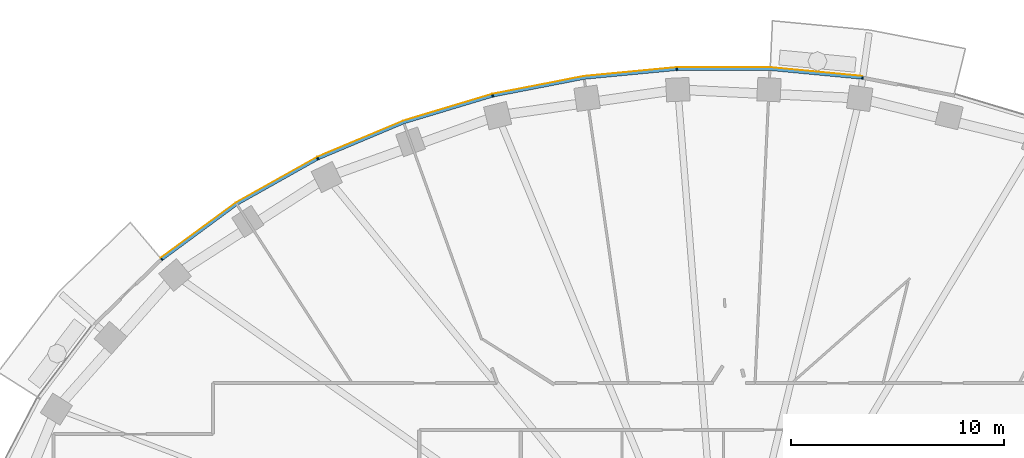
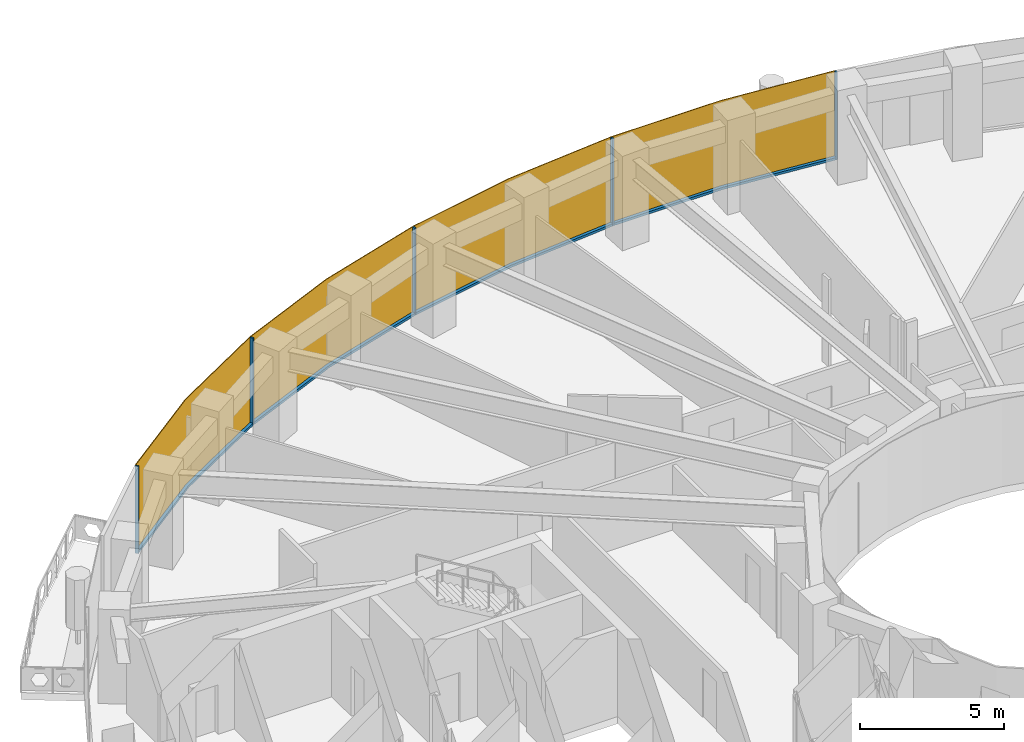
# One storey, part 11 of 16: 9 members, 1 curtain wall.
"""IFC4 building model written with IfcOpenShell, lengths in metres."""

from ifc_helpers import new_model, si_unit, direction, frame, origin, origin_2d, place, context, subcontext, project, spatial, polyline, rectangle, outline, extrude, material, layer, layer_set, material_profile, profile_set, type_object, element, aggregate, save


model = new_model("IFC4")

# Units and contexts
model_context = context("Model", 3, precision=1e-05, world=origin(), true_north=direction((0.0, 1.0)))
body_context = subcontext(model_context, "Body", "Model", "MODEL_VIEW")
ifc_project = project(units=[si_unit("LENGTHUNIT", "METRE"), si_unit("AREAUNIT", "SQUARE_METRE"), si_unit("VOLUMEUNIT", "CUBIC_METRE"), si_unit("PLANEANGLEUNIT", "RADIAN"), si_unit("MASSUNIT", "GRAM", prefix="KILO")], contexts=[model_context])

# Member
ifc_material_1 = material(Name="Aluminium 6063-T6 black anodised", Category="aluminium")
ifc_material_profile = material_profile(ifc_material_1, rectangle(XDim=0.1201171875, YDim=0.06005859375, at=origin_2d()), Name="120x60")
ifc_profile_set = profile_set([ifc_material_profile], Name="Aluminium 6063-T6 black anodised")
member_type_1 = type_object("IfcMemberType", Name="ENV-MULLION-A-120", PredefinedType="MULLION", material=ifc_profile_set)
site_placement = place(None, origin())
building_placement = place(site_placement, origin())
storey_placement = place(building_placement, frame((0.0, 0.0, 237.5)))
member_1_placement = place(storey_placement, frame((6.54638671875, 27.440185546875, 0.0), z_axis=(0.0, 0.0, 1.0), x_axis=(-0.143082012705, -0.989710835366, 0.0)))
member_1 = element("IfcMember", 1, at=member_1_placement, type_object=member_type_1, Name="Mullion A radial 11", PredefinedType="MULLION", context=body_context, shape_type="SweptSolid", body=[
    extrude(rectangle(XDim=0.1201171875, YDim=0.06005859375, at=origin_2d()), origin(), (0.0, 0.0, 1.0), 3.699951171875),
])

member_2_placement = place(storey_placement, frame((-2.188720703125, 27.856201171875, 0.0), z_axis=(0.0, 0.0, 1.0), x_axis=(0.047557873581, -0.998868484166, 0.0)))
member_2 = element("IfcMember", 2, at=member_2_placement, type_object=member_type_1, Name="Mullion A radial 13", PredefinedType="MULLION", context=body_context, shape_type="SweptSolid", body=[
    extrude(rectangle(XDim=0.1201171875, YDim=0.06005859375, at=origin_2d()), origin(), (0.0, 0.0, 1.0), 3.699951171875),
])

member_3_placement = place(storey_placement, frame((-10.84326171875, 26.60498046875, 0.0), z_axis=(0.0, 0.0, 1.0), x_axis=(0.239799081534, -0.970822538106, 0.0)))
member_3 = element("IfcMember", 3, at=member_3_placement, type_object=member_type_1, Name="Mullion A radial 15", PredefinedType="MULLION", context=body_context, shape_type="SweptSolid", body=[
    extrude(rectangle(XDim=0.1201171875, YDim=0.06005859375, at=origin_2d()), origin(), (0.0, 0.0, 1.0), 3.699951171875),
])

member_4_placement = place(storey_placement, frame((-19.06787109375, 23.6474609375, 0.0), z_axis=(0.0, 0.0, 1.0), x_axis=(0.439237769837, -0.898370848563, 0.0)))
member_4 = element("IfcMember", 4, at=member_4_placement, type_object=member_type_1, Name="Mullion A radial 17", PredefinedType="MULLION", context=body_context, shape_type="SweptSolid", body=[
    extrude(rectangle(XDim=0.1201171875, YDim=0.06005859375, at=origin_2d()), origin(), (0.0, 0.0, 1.0), 3.699951171875),
])

member_5_placement = place(storey_placement, frame((-26.403564453125, 18.9130859375, 0.0), z_axis=(0.0, 0.0, 1.0), x_axis=(0.646451313783, -0.762955240435, 0.0)))
member_5 = element("IfcMember", 5, at=member_5_placement, type_object=member_type_1, Name="Mullion A radial 19", PredefinedType="MULLION", context=body_context, shape_type="SweptSolid", body=[
    extrude(rectangle(XDim=0.1201171875, YDim=0.06005859375, at=origin_2d()), origin(), (0.0, 0.0, 1.0), 3.699951171875),
])

ifc_material_2 = material(Name="Aluminium 6063-T6 black anodised", Category="aluminium")
member_type_2 = type_object("IfcMemberType", Name="ENV-TRANSOM-A", PredefinedType="USERDEFINED", material=ifc_material_2)
member_6_placement = place(storey_placement, origin())
member_6 = element("IfcMember", 6, at=member_6_placement, type_object=member_type_2, Name="Transom A radial 11-13", ObjectType="TRANSOM", PredefinedType="USERDEFINED", context=body_context, shape_type="SweptSolid", body=[
    extrude(outline(polyline([(6.527099609375, 27.502197265625), (2.191650390625, 27.916015625), (-2.163818359375, 27.916015625), (-2.157958984375, 27.7958984375), (2.185791015625, 27.7958984375), (6.510009765625, 27.38330078125), (6.527099609375, 27.502197265625)])), origin(), (0.0, 0.0, 1.0), 0.10009765625),
])

member_7_placement = place(storey_placement, origin())
member_7 = element("IfcMember", 7, at=member_7_placement, type_object=member_type_2, Name="Transom A radial 13-15", ObjectType="TRANSOM", PredefinedType="USERDEFINED", context=body_context, shape_type="SweptSolid", body=[
    extrude(outline(polyline([(-2.219482421875, 27.913330078125), (-6.55517578125, 27.49951171875), (-10.830078125, 26.66845703125), (-10.80126953125, 26.552001953125), (-6.537841796875, 27.380615234375), (-2.2138671875, 27.793212890625), (-2.219482421875, 27.913330078125)])), origin(), (0.0, 0.0, 1.0), 0.10009765625),
])

member_8_placement = place(storey_placement, origin())
member_8 = element("IfcMember", 8, at=member_8_placement, type_object=member_type_2, Name="Transom A radial 15-17", ObjectType="TRANSOM", PredefinedType="USERDEFINED", context=body_context, shape_type="SweptSolid", body=[
    extrude(outline(polyline([(-10.884521484375, 26.655029296875), (-15.054443359375, 25.400146484375), (-19.068359375, 23.71240234375), (-19.015380859375, 23.604248046875), (-15.013916015625, 25.287109375), (-10.855712890625, 26.53857421875), (-10.884521484375, 26.655029296875)])), origin(), (0.0, 0.0, 1.0), 0.10009765625),
])

member_9_placement = place(storey_placement, origin())
member_9 = element("IfcMember", 9, at=member_9_placement, type_object=member_type_2, Name="Transom A radial 17-19", ObjectType="TRANSOM", PredefinedType="USERDEFINED", context=body_context, shape_type="SweptSolid", body=[
    extrude(outline(polyline([(-19.11865234375, 23.687744140625), (-22.9150390625, 21.556884765625), (-26.419921875, 18.975341796875), (-26.342041015625, 18.883544921875), (-22.85009765625, 21.455810546875), (-19.06591796875, 23.57958984375), (-19.11865234375, 23.687744140625)])), origin(), (0.0, 0.0, 1.0), 0.10009765625),
])

# Site, building, storey
site = spatial("IfcSite", under=ifc_project, at=site_placement, CompositionType="ELEMENT")
building = spatial("IfcBuilding", under=site, at=building_placement, Name="Noorbagh Ring Tower", CompositionType="ELEMENT")
storey = spatial("IfcBuildingStorey", under=building, at=storey_placement, Name="L49", CompositionType="ELEMENT", Elevation=237.5)

# Curtain wall
ifc_material_3 = material(Name="Glass dark tinted laminated", Category="glass")
ifc_layer = layer(ifc_material_3, 0.031982421875)
ifc_layer_set = layer_set([ifc_layer], Name="Glass dark tinted laminated")
curtain_wall_type = type_object("IfcCurtainWallType", Name="ENV-CW-A", PredefinedType="NOTDEFINED", material=ifc_layer_set)
curtain_wall_placement = place(storey_placement, origin())
curtain_wall = element("IfcCurtainWall", 10, at=curtain_wall_placement, inside=storey, type_object=curtain_wall_type, Name="Curtain wall A R11", PredefinedType="NOTDEFINED", context=body_context, shape_type="SweptSolid", body=[
    extrude(outline(polyline([(6.539794921875, 27.533203125), (2.193115234375, 27.947998046875), (-2.193115234375, 27.947998046875), (-6.559814453125, 27.53125), (-10.865234375, 26.6943359375), (-15.065185546875, 25.430419921875), (-19.108154296875, 23.730224609375), (-22.9326171875, 21.583740234375), (-26.447021484375, 18.9951171875), (-26.42626953125, 18.970703125), (-22.9150390625, 21.556884765625), (-19.093994140625, 23.701416015625), (-15.054443359375, 25.400146484375), (-10.857666015625, 26.6630859375), (-6.55517578125, 27.49951171875), (-2.191650390625, 27.916015625), (2.191650390625, 27.916015625), (6.53515625, 27.50146484375), (6.539794921875, 27.533203125)])), origin(), (0.0, 0.0, 1.0), 3.699951171875),
])

aggregate(curtain_wall, [member_1, member_2, member_3, member_4, member_5, member_6, member_7, member_8, member_9])

save(model, "model.ifc")
